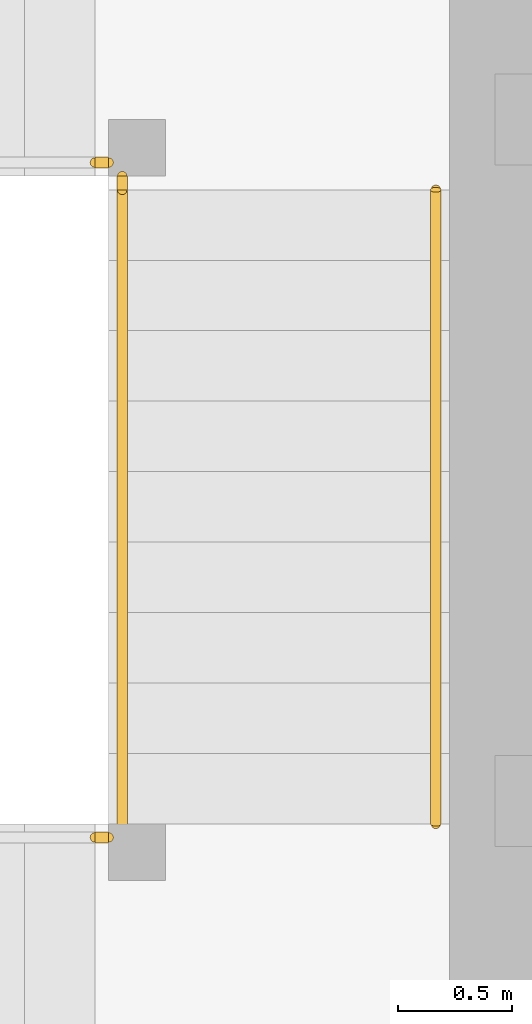
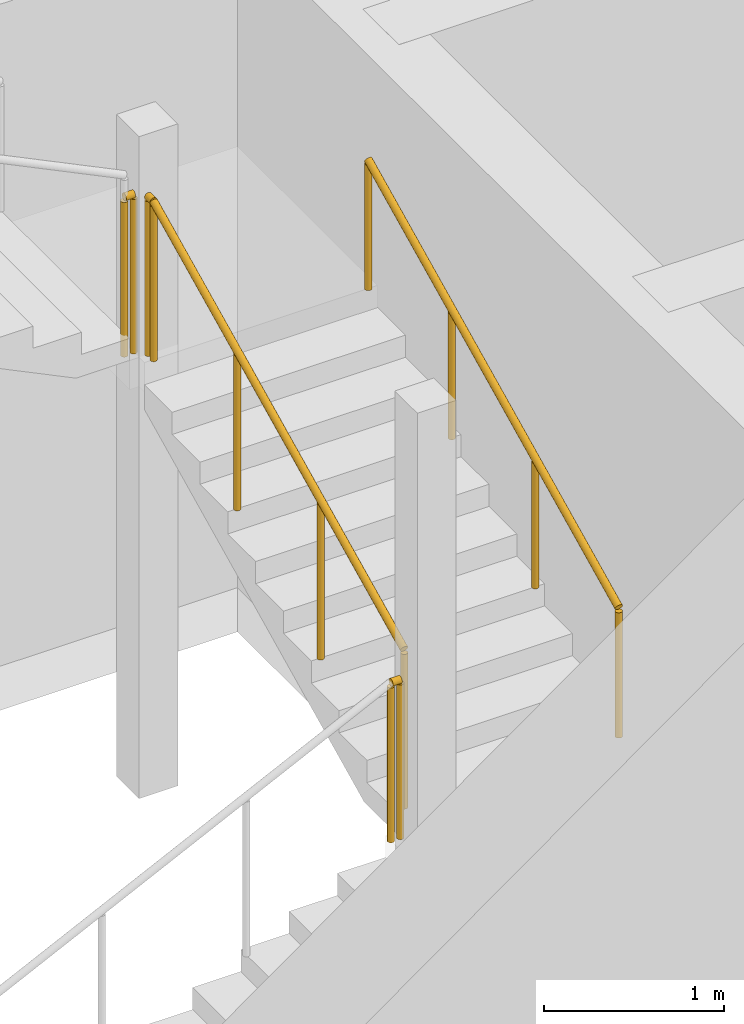
# One storey, part 22 of 39: 5 railings.
"""IFC4 building model written with IfcOpenShell, lengths in metres."""

from ifc_helpers import new_model, si_unit, direction, frame, origin, origin_2d, place, context, subcontext, project, spatial, circle, extrude, material, type_object, element, save


model = new_model("IFC4")

# Units and contexts
model_context = context("Model", 3, precision=1e-05, world=origin(), true_north=direction((0.0, 1.0)))
body_context = subcontext(model_context, "Body", "Model", "MODEL_VIEW")
ifc_project = project(units=[si_unit("LENGTHUNIT", "METRE"), si_unit("AREAUNIT", "SQUARE_METRE"), si_unit("VOLUMEUNIT", "CUBIC_METRE"), si_unit("PLANEANGLEUNIT", "RADIAN"), si_unit("MASSUNIT", "GRAM", prefix="KILO")], contexts=[model_context])

# Site, building, storey
site_placement = place(None, origin())
site = spatial("IfcSite", under=ifc_project, at=site_placement, CompositionType="ELEMENT")
building_placement = place(site_placement, origin())
building = spatial("IfcBuilding", under=site, at=building_placement, Name="Rekha Terrace Tower", CompositionType="ELEMENT")
storey_placement = place(building_placement, frame((0.0, 0.0, 245.60009765625)))
storey = spatial("IfcBuildingStorey", under=building, at=storey_placement, Name="L62", CompositionType="ELEMENT", Elevation=245.60009765625)

# Railings
ifc_material_1 = material(Name="Stainless steel balustrade", Category="steel")
railing_type_1 = type_object("IfcRailingType", Name="GR1 1100 stair guard", PredefinedType="GUARDRAIL", material=ifc_material_1)
railing_1_placement = place(storey_placement, frame((30.159912109375, 41.300048828125, 1.64990234375)))
element("IfcRailing", 1, at=railing_1_placement, inside=storey, type_object=railing_type_1, Name="Guard ST4 L62 flight 2", PredefinedType="GUARDRAIL", context=body_context, shape_type="SweptSolid", body=[
    extrude(circle(Radius=0.02392578125, at=origin_2d()), frame((0.0, 0.0, 1.076171875), z_axis=(0.0, 0.90014928908, 0.43558151633), x_axis=(-1.0, 0.0, 0.0)), (0.0, 0.0, 1.0), 3.099609375),
    extrude(circle(Radius=0.02099609375, at=origin_2d()), origin(), (0.0, 0.0, 1.0), 1.052001953125),
    extrude(circle(Radius=0.02099609375, at=origin_2d()), frame((0.0, 0.929931640625, 0.449951171875)), (0.0, 0.0, 1.0), 1.052001953125),
    extrude(circle(Radius=0.02099609375, at=origin_2d()), frame((0.0, 1.860107421875, 0.900146484375)), (0.0, 0.0, 1.0), 1.052001953125),
    extrude(circle(Radius=0.02099609375, at=origin_2d()), frame((0.0, 2.7900390625, 1.35009765625)), (0.0, 0.0, 1.0), 1.052001953125),
])
railing_2_placement = place(storey_placement, frame((30.0400390625, 41.239990234375, 1.5)))
element("IfcRailing", 2, at=railing_2_placement, inside=storey, type_object=railing_type_1, Name="Guard ST4 L62 landing 1", PredefinedType="GUARDRAIL", context=body_context, shape_type="SweptSolid", body=[
    extrude(circle(Radius=0.02392578125, at=origin_2d()), frame((0.0, 0.0, 1.076171875), z_axis=(1.0, 0.0, 0.0), x_axis=(0.0, 1.0, 0.0)), (0.0, 0.0, 1.0), 0.06005859375),
    extrude(circle(Radius=0.02099609375, at=origin_2d()), origin(), (0.0, 0.0, 1.0), 1.052001953125),
    extrude(circle(Radius=0.02099609375, at=origin_2d()), frame((0.06005859375, 0.0, 0.0)), (0.0, 0.0, 1.0), 1.052001953125),
])
railing_3_placement = place(storey_placement, frame((30.159912109375, 44.090087890625, 3.0)))
element("IfcRailing", 3, at=railing_3_placement, inside=storey, type_object=railing_type_1, Name="Guard ST4 L62 landing 2", PredefinedType="GUARDRAIL", context=body_context, shape_type="SweptSolid", body=[
    extrude(circle(Radius=0.02392578125, at=origin_2d()), frame((0.0, 0.0, 1.076171875), z_axis=(0.0, 1.0, 0.0), x_axis=(-1.0, 0.0, 0.0)), (0.0, 0.0, 1.0), 0.059814453125),
    extrude(circle(Radius=0.02099609375, at=origin_2d()), origin(), (0.0, 0.0, 1.0), 1.052001953125),
    extrude(circle(Radius=0.02099609375, at=origin_2d()), frame((0.0, 0.059814453125, 0.0)), (0.0, 0.0, 1.0), 1.052001953125),
])
railing_4_placement = place(storey_placement, frame((30.0400390625, 44.2099609375, 3.0)))
element("IfcRailing", 4, at=railing_4_placement, inside=storey, type_object=railing_type_1, Name="Guard ST4 L62 landing 3", PredefinedType="GUARDRAIL", context=body_context, shape_type="SweptSolid", body=[
    extrude(circle(Radius=0.02392578125, at=origin_2d()), frame((0.0, 0.0, 1.076171875), z_axis=(1.0, 0.0, 0.0), x_axis=(0.0, 1.0, 0.0)), (0.0, 0.0, 1.0), 0.06005859375),
    extrude(circle(Radius=0.02099609375, at=origin_2d()), origin(), (0.0, 0.0, 1.0), 1.052001953125),
    extrude(circle(Radius=0.02099609375, at=origin_2d()), frame((0.06005859375, 0.0, 0.0)), (0.0, 0.0, 1.0), 1.052001953125),
])
ifc_material_2 = material(Name="Stainless steel tube", Category="steel")
railing_type_2 = type_object("IfcRailingType", Name="HR1 900 stair handrail", PredefinedType="HANDRAIL", material=ifc_material_2)
railing_5_placement = place(storey_placement, frame((31.5400390625, 41.300048828125, 1.64990234375)))
element("IfcRailing", 5, at=railing_5_placement, inside=storey, type_object=railing_type_2, Name="Handrail ST4 L62 flight 2", PredefinedType="HANDRAIL", context=body_context, shape_type="SweptSolid", body=[
    extrude(circle(Radius=0.02392578125, at=origin_2d()), frame((0.0, 0.0, 0.8759765625), z_axis=(0.0, 0.90014928908, 0.43558151633), x_axis=(-1.0, 0.0, 0.0)), (0.0, 0.0, 1.0), 3.099609375),
    extrude(circle(Radius=0.02099609375, at=origin_2d()), origin(), (0.0, 0.0, 1.0), 0.851806640625),
    extrude(circle(Radius=0.02099609375, at=origin_2d()), frame((0.0, 0.929931640625, 0.449951171875)), (0.0, 0.0, 1.0), 0.851806640625),
    extrude(circle(Radius=0.02099609375, at=origin_2d()), frame((0.0, 1.860107421875, 0.900146484375)), (0.0, 0.0, 1.0), 0.851806640625),
    extrude(circle(Radius=0.02099609375, at=origin_2d()), frame((0.0, 2.7900390625, 1.35009765625)), (0.0, 0.0, 1.0), 0.851806640625),
])

save(model, "model.ifc")
